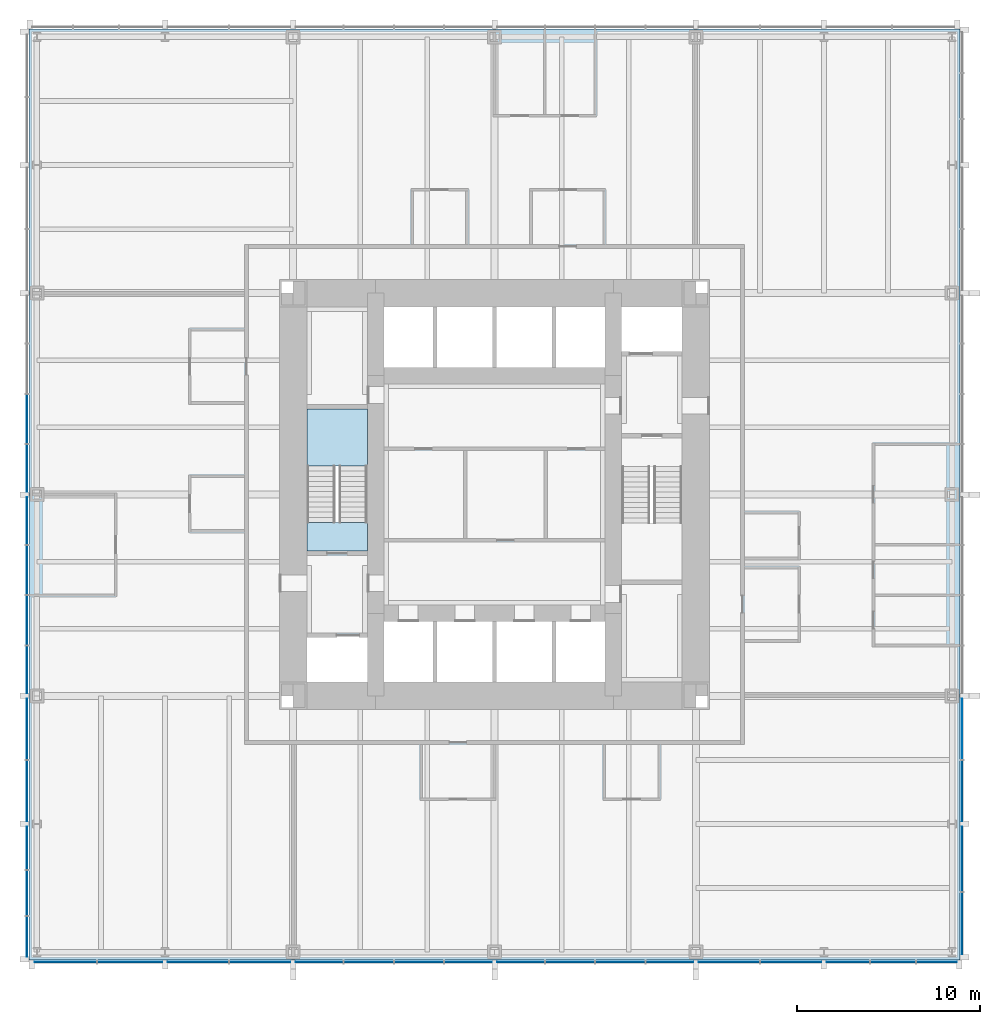
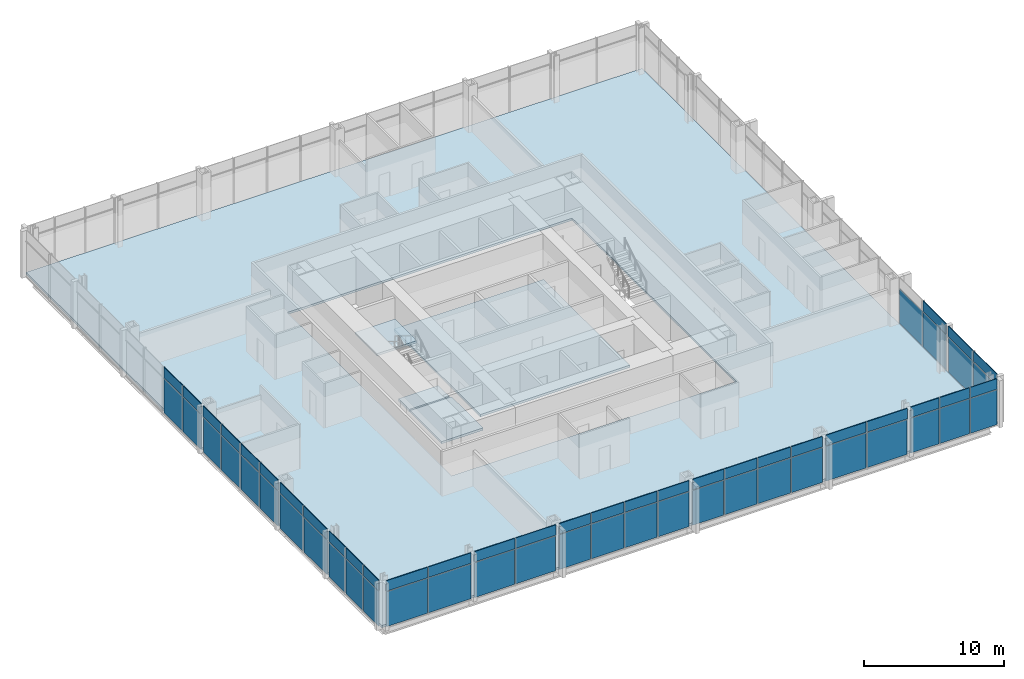
# One storey, part 7 of 12: 63 plates, 5 slabs, 4 elements without a shape of their own.
"""IFC4 building model written with IfcOpenShell, lengths in metres."""

from ifc_helpers import new_model, si_unit, direction, frame, origin, origin_2d, place, context, subcontext, project, spatial, polyline, rectangle, outline, extrude, material, layer, layer_set, type_object, element, aggregate, save


model = new_model("IFC4")

# Units and contexts
model_context = context("Model", 3, precision=1e-05, world=origin(), true_north=direction((0.0, 1.0)))
body_context = subcontext(model_context, "Body", "Model", "MODEL_VIEW")
ifc_project = project(units=[si_unit("LENGTHUNIT", "METRE"), si_unit("AREAUNIT", "SQUARE_METRE"), si_unit("VOLUMEUNIT", "CUBIC_METRE"), si_unit("PLANEANGLEUNIT", "RADIAN"), si_unit("MASSUNIT", "GRAM", prefix="KILO")], contexts=[model_context])

# Site, building, storey
site_placement = place(None, origin())
site = spatial("IfcSite", under=ifc_project, at=site_placement, CompositionType="ELEMENT")
building_placement = place(site_placement, origin())
building = spatial("IfcBuilding", under=site, at=building_placement, Name="Trevanion Tower", CompositionType="ELEMENT")
storey_placement = place(building_placement, frame((0.0, 0.0, 28.300048828125)))
storey = spatial("IfcBuildingStorey", under=building, at=storey_placement, Name="L06", CompositionType="ELEMENT", Elevation=28.300048828125)

# Curtain wall, plates
ifc_material_1 = material(Name="Aluminium and glass", Category="aluminium")
curtain_wall_type = type_object("IfcCurtainWallType", Name="CW1 curtain wall", PredefinedType="USERDEFINED", material=ifc_material_1)
curtain_wall_1_placement = place(storey_placement, origin())
curtain_wall_1 = element("IfcCurtainWall", 1, at=curtain_wall_1_placement, inside=storey, type_object=curtain_wall_type, Name="CW1 L06 0", ObjectType="UNITISED CURTAIN WALL", PredefinedType="USERDEFINED")
ifc_material_2 = material(Name="Aluminium spandrel panel", Category="aluminium")
ifc_layer_1 = layer(ifc_material_2, 0.06005859375)
ifc_layer_set_1 = layer_set([ifc_layer_1], Name="CW1 spandrel panel")
plate_type_1 = type_object("IfcPlateType", Name="CW1 spandrel panel", PredefinedType="CURTAIN_PANEL", material=ifc_layer_set_1)
plate_1_placement = place(storey_placement, frame((25.550048828125, -23.433837890625, 2.99755859375), z_axis=(0.0, 0.0, 1.0), x_axis=(0.0, 1.0, 0.0)))
plate_1 = element("IfcPlate", 2, at=plate_1_placement, type_object=plate_type_1, Name="CW1 panel 1.2", PredefinedType="CURTAIN_PANEL", context=body_context, shape_type="SweptSolid", body=[
    extrude(rectangle(XDim=3.37255859375, YDim=0.06005859375, at=origin_2d()), origin(), (0.0, 0.0, 1.0), 0.91259765625),
])
plate_2_placement = place(storey_placement, frame((25.550048828125, -19.911376953125, 2.99755859375), z_axis=(0.0, 0.0, 1.0), x_axis=(0.0, 1.0, 0.0)))
plate_2 = element("IfcPlate", 3, at=plate_2_placement, type_object=plate_type_1, Name="CW1 panel 2.2", PredefinedType="CURTAIN_PANEL", context=body_context, shape_type="SweptSolid", body=[
    extrude(rectangle(XDim=3.5224609375, YDim=0.06005859375, at=origin_2d()), origin(), (0.0, 0.0, 1.0), 0.91259765625),
])
plate_3_placement = place(storey_placement, frame((25.550048828125, -16.19384765625, 2.99755859375), z_axis=(0.0, 0.0, 1.0), x_axis=(0.0, 1.0, 0.0)))
plate_3 = element("IfcPlate", 4, at=plate_3_placement, type_object=plate_type_1, Name="CW1 panel 3.2", PredefinedType="CURTAIN_PANEL", context=body_context, shape_type="SweptSolid", body=[
    extrude(rectangle(XDim=3.3125, YDim=0.06005859375, at=origin_2d()), origin(), (0.0, 0.0, 1.0), 0.91259765625),
])

curtain_wall_2_placement = place(storey_placement, origin())
curtain_wall_2 = element("IfcCurtainWall", 5, at=curtain_wall_2_placement, inside=storey, type_object=curtain_wall_type, Name="CW1 L06 2", ObjectType="UNITISED CURTAIN WALL", PredefinedType="USERDEFINED")
plate_4_placement = place(storey_placement, frame((-25.550048828125, 4.125, 2.99755859375), z_axis=(0.0, 0.0, 1.0), x_axis=(0.0, -1.0, 0.0)))
plate_4 = element("IfcPlate", 6, at=plate_4_placement, type_object=plate_type_1, Name="CW1 panel 7.2", PredefinedType="CURTAIN_PANEL", context=body_context, shape_type="SweptSolid", body=[
    extrude(rectangle(XDim=2.675048828125, YDim=0.06005859375, at=origin_2d()), origin(), (0.0, 0.0, 1.0), 0.91259765625),
])
plate_5_placement = place(storey_placement, frame((-25.550048828125, 1.43115234375, 2.99755859375), z_axis=(0.0, 0.0, 1.0), x_axis=(0.0, -1.0, 0.0)))
plate_5 = element("IfcPlate", 7, at=plate_5_placement, type_object=plate_type_1, Name="CW1 panel 8.2", PredefinedType="CURTAIN_PANEL", context=body_context, shape_type="SweptSolid", body=[
    extrude(rectangle(XDim=2.5625, YDim=0.06005859375, at=origin_2d()), origin(), (0.0, 0.0, 1.0), 0.91259765625),
])
plate_6_placement = place(storey_placement, frame((-25.550048828125, -1.43115234375, 2.99755859375), z_axis=(0.0, 0.0, 1.0), x_axis=(0.0, -1.0, 0.0)))
plate_6 = element("IfcPlate", 8, at=plate_6_placement, type_object=plate_type_1, Name="CW1 panel 9.2", PredefinedType="CURTAIN_PANEL", context=body_context, shape_type="SweptSolid", body=[
    extrude(rectangle(XDim=2.5625, YDim=0.06005859375, at=origin_2d()), origin(), (0.0, 0.0, 1.0), 0.91259765625),
])
plate_7_placement = place(storey_placement, frame((-25.550048828125, -4.125, 2.99755859375), z_axis=(0.0, 0.0, 1.0), x_axis=(0.0, -1.0, 0.0)))
plate_7 = element("IfcPlate", 9, at=plate_7_placement, type_object=plate_type_1, Name="CW1 panel 10.2", PredefinedType="CURTAIN_PANEL", context=body_context, shape_type="SweptSolid", body=[
    extrude(rectangle(XDim=2.675048828125, YDim=0.06005859375, at=origin_2d()), origin(), (0.0, 0.0, 1.0), 0.91259765625),
])
plate_8_placement = place(storey_placement, frame((-25.550048828125, -6.875, 2.99755859375), z_axis=(0.0, 0.0, 1.0), x_axis=(0.0, -1.0, 0.0)))
plate_8 = element("IfcPlate", 10, at=plate_8_placement, type_object=plate_type_1, Name="CW1 panel 11.2", PredefinedType="CURTAIN_PANEL", context=body_context, shape_type="SweptSolid", body=[
    extrude(rectangle(XDim=2.675048828125, YDim=0.06005859375, at=origin_2d()), origin(), (0.0, 0.0, 1.0), 0.91259765625),
])
plate_9_placement = place(storey_placement, frame((-25.550048828125, -9.56884765625, 2.99755859375), z_axis=(0.0, 0.0, 1.0), x_axis=(0.0, -1.0, 0.0)))
plate_9 = element("IfcPlate", 11, at=plate_9_placement, type_object=plate_type_1, Name="CW1 panel 12.2", PredefinedType="CURTAIN_PANEL", context=body_context, shape_type="SweptSolid", body=[
    extrude(rectangle(XDim=2.5625, YDim=0.06005859375, at=origin_2d()), origin(), (0.0, 0.0, 1.0), 0.91259765625),
])
plate_10_placement = place(storey_placement, frame((-25.550048828125, -12.80615234375, 2.99755859375), z_axis=(0.0, 0.0, 1.0), x_axis=(0.0, -1.0, 0.0)))
plate_10 = element("IfcPlate", 12, at=plate_10_placement, type_object=plate_type_1, Name="CW1 panel 13.2", PredefinedType="CURTAIN_PANEL", context=body_context, shape_type="SweptSolid", body=[
    extrude(rectangle(XDim=3.3125, YDim=0.06005859375, at=origin_2d()), origin(), (0.0, 0.0, 1.0), 0.91259765625),
])
plate_11_placement = place(storey_placement, frame((-25.550048828125, -16.19384765625, 2.99755859375), z_axis=(0.0, 0.0, 1.0), x_axis=(0.0, -1.0, 0.0)))
plate_11 = element("IfcPlate", 13, at=plate_11_placement, type_object=plate_type_1, Name="CW1 panel 14.2", PredefinedType="CURTAIN_PANEL", context=body_context, shape_type="SweptSolid", body=[
    extrude(rectangle(XDim=3.3125, YDim=0.06005859375, at=origin_2d()), origin(), (0.0, 0.0, 1.0), 0.91259765625),
])
plate_12_placement = place(storey_placement, frame((-25.550048828125, -19.314697265625, 2.99755859375), z_axis=(0.0, 0.0, 1.0), x_axis=(0.0, -1.0, 0.0)))
plate_12 = element("IfcPlate", 14, at=plate_12_placement, type_object=plate_type_1, Name="CW1 panel 15.2", PredefinedType="CURTAIN_PANEL", context=body_context, shape_type="SweptSolid", body=[
    extrude(rectangle(XDim=2.3291015625, YDim=0.06005859375, at=origin_2d()), origin(), (0.0, 0.0, 1.0), 0.91259765625),
])
plate_13_placement = place(storey_placement, frame((-25.550048828125, -21.77490234375, 2.99755859375), z_axis=(0.0, 0.0, 1.0), x_axis=(0.0, -1.0, 0.0)))
plate_13 = element("IfcPlate", 15, at=plate_13_placement, type_object=plate_type_1, Name="CW1 panel 16.2", PredefinedType="CURTAIN_PANEL", context=body_context, shape_type="SweptSolid", body=[
    extrude(rectangle(XDim=2.441650390625, YDim=0.06005859375, at=origin_2d()), origin(), (0.0, 0.0, 1.0), 0.91259765625),
])
plate_14_placement = place(storey_placement, frame((-25.550048828125, -24.160400390625, 2.99755859375), z_axis=(0.0, 0.0, 1.0), x_axis=(0.0, -1.0, 0.0)))
plate_14 = element("IfcPlate", 16, at=plate_14_placement, type_object=plate_type_1, Name="CW1 panel 17.2", PredefinedType="CURTAIN_PANEL", context=body_context, shape_type="SweptSolid", body=[
    extrude(rectangle(XDim=2.17919921875, YDim=0.06005859375, at=origin_2d()), origin(), (0.0, 0.0, 1.0), 0.91259765625),
])

curtain_wall_3_placement = place(storey_placement, origin())
curtain_wall_3 = element("IfcCurtainWall", 17, at=curtain_wall_3_placement, inside=storey, type_object=curtain_wall_type, Name="CW1 L06 3", ObjectType="UNITISED CURTAIN WALL", PredefinedType="USERDEFINED")
plate_15_placement = place(storey_placement, frame((-23.433837890625, -25.550048828125, 2.99755859375), z_axis=(0.0, 0.0, 1.0), x_axis=(1.0, 0.0, 0.0)))
plate_15 = element("IfcPlate", 18, at=plate_15_placement, type_object=plate_type_1, Name="CW1 panel 1.2", PredefinedType="CURTAIN_PANEL", context=body_context, shape_type="SweptSolid", body=[
    extrude(rectangle(XDim=3.37255859375, YDim=0.06005859375, at=origin_2d()), origin(), (0.0, 0.0, 1.0), 0.91259765625),
])
plate_16_placement = place(storey_placement, frame((-19.911376953125, -25.550048828125, 2.99755859375), z_axis=(0.0, 0.0, 1.0), x_axis=(1.0, 0.0, 0.0)))
plate_16 = element("IfcPlate", 19, at=plate_16_placement, type_object=plate_type_1, Name="CW1 panel 2.2", PredefinedType="CURTAIN_PANEL", context=body_context, shape_type="SweptSolid", body=[
    extrude(rectangle(XDim=3.5224609375, YDim=0.06005859375, at=origin_2d()), origin(), (0.0, 0.0, 1.0), 0.91259765625),
])
plate_17_placement = place(storey_placement, frame((-16.19384765625, -25.550048828125, 2.99755859375), z_axis=(0.0, 0.0, 1.0), x_axis=(1.0, 0.0, 0.0)))
plate_17 = element("IfcPlate", 20, at=plate_17_placement, type_object=plate_type_1, Name="CW1 panel 3.2", PredefinedType="CURTAIN_PANEL", context=body_context, shape_type="SweptSolid", body=[
    extrude(rectangle(XDim=3.3125, YDim=0.06005859375, at=origin_2d()), origin(), (0.0, 0.0, 1.0), 0.91259765625),
])
plate_18_placement = place(storey_placement, frame((-12.806396484375, -25.550048828125, 2.99755859375), z_axis=(0.0, 0.0, 1.0), x_axis=(1.0, 0.0, 0.0)))
plate_18 = element("IfcPlate", 21, at=plate_18_placement, type_object=plate_type_1, Name="CW1 panel 4.2", PredefinedType="CURTAIN_PANEL", context=body_context, shape_type="SweptSolid", body=[
    extrude(rectangle(XDim=3.3125, YDim=0.06005859375, at=origin_2d()), origin(), (0.0, 0.0, 1.0), 0.91259765625),
])
plate_19_placement = place(storey_placement, frame((-9.56884765625, -25.550048828125, 2.99755859375), z_axis=(0.0, 0.0, 1.0), x_axis=(1.0, 0.0, 0.0)))
plate_19 = element("IfcPlate", 22, at=plate_19_placement, type_object=plate_type_1, Name="CW1 panel 5.2", PredefinedType="CURTAIN_PANEL", context=body_context, shape_type="SweptSolid", body=[
    extrude(rectangle(XDim=2.5625, YDim=0.06005859375, at=origin_2d()), origin(), (0.0, 0.0, 1.0), 0.91259765625),
])
plate_20_placement = place(storey_placement, frame((-6.875, -25.550048828125, 2.99755859375), z_axis=(0.0, 0.0, 1.0), x_axis=(1.0, 0.0, 0.0)))
plate_20 = element("IfcPlate", 23, at=plate_20_placement, type_object=plate_type_1, Name="CW1 panel 6.2", PredefinedType="CURTAIN_PANEL", context=body_context, shape_type="SweptSolid", body=[
    extrude(rectangle(XDim=2.675048828125, YDim=0.06005859375, at=origin_2d()), origin(), (0.0, 0.0, 1.0), 0.91259765625),
])
plate_21_placement = place(storey_placement, frame((-4.125, -25.550048828125, 2.99755859375), z_axis=(0.0, 0.0, 1.0), x_axis=(1.0, 0.0, 0.0)))
plate_21 = element("IfcPlate", 24, at=plate_21_placement, type_object=plate_type_1, Name="CW1 panel 7.2", PredefinedType="CURTAIN_PANEL", context=body_context, shape_type="SweptSolid", body=[
    extrude(rectangle(XDim=2.675048828125, YDim=0.06005859375, at=origin_2d()), origin(), (0.0, 0.0, 1.0), 0.91259765625),
])
plate_22_placement = place(storey_placement, frame((-1.43115234375, -25.550048828125, 2.99755859375), z_axis=(0.0, 0.0, 1.0), x_axis=(1.0, 0.0, 0.0)))
plate_22 = element("IfcPlate", 25, at=plate_22_placement, type_object=plate_type_1, Name="CW1 panel 8.2", PredefinedType="CURTAIN_PANEL", context=body_context, shape_type="SweptSolid", body=[
    extrude(rectangle(XDim=2.5625, YDim=0.06005859375, at=origin_2d()), origin(), (0.0, 0.0, 1.0), 0.91259765625),
])
plate_23_placement = place(storey_placement, frame((1.43115234375, -25.550048828125, 2.99755859375), z_axis=(0.0, 0.0, 1.0), x_axis=(1.0, 0.0, 0.0)))
plate_23 = element("IfcPlate", 26, at=plate_23_placement, type_object=plate_type_1, Name="CW1 panel 9.2", PredefinedType="CURTAIN_PANEL", context=body_context, shape_type="SweptSolid", body=[
    extrude(rectangle(XDim=2.5625, YDim=0.06005859375, at=origin_2d()), origin(), (0.0, 0.0, 1.0), 0.91259765625),
])
plate_24_placement = place(storey_placement, frame((4.125, -25.550048828125, 2.99755859375), z_axis=(0.0, 0.0, 1.0), x_axis=(1.0, 0.0, 0.0)))
plate_24 = element("IfcPlate", 27, at=plate_24_placement, type_object=plate_type_1, Name="CW1 panel 10.2", PredefinedType="CURTAIN_PANEL", context=body_context, shape_type="SweptSolid", body=[
    extrude(rectangle(XDim=2.675048828125, YDim=0.06005859375, at=origin_2d()), origin(), (0.0, 0.0, 1.0), 0.91259765625),
])
plate_25_placement = place(storey_placement, frame((6.875, -25.550048828125, 2.99755859375), z_axis=(0.0, 0.0, 1.0), x_axis=(1.0, 0.0, 0.0)))
plate_25 = element("IfcPlate", 28, at=plate_25_placement, type_object=plate_type_1, Name="CW1 panel 11.2", PredefinedType="CURTAIN_PANEL", context=body_context, shape_type="SweptSolid", body=[
    extrude(rectangle(XDim=2.675048828125, YDim=0.06005859375, at=origin_2d()), origin(), (0.0, 0.0, 1.0), 0.91259765625),
])
plate_26_placement = place(storey_placement, frame((9.56884765625, -25.550048828125, 2.99755859375), z_axis=(0.0, 0.0, 1.0), x_axis=(1.0, 0.0, 0.0)))
plate_26 = element("IfcPlate", 29, at=plate_26_placement, type_object=plate_type_1, Name="CW1 panel 12.2", PredefinedType="CURTAIN_PANEL", context=body_context, shape_type="SweptSolid", body=[
    extrude(rectangle(XDim=2.5625, YDim=0.06005859375, at=origin_2d()), origin(), (0.0, 0.0, 1.0), 0.91259765625),
])
plate_27_placement = place(storey_placement, frame((12.80615234375, -25.550048828125, 2.99755859375), z_axis=(0.0, 0.0, 1.0), x_axis=(1.0, 0.0, 0.0)))
plate_27 = element("IfcPlate", 30, at=plate_27_placement, type_object=plate_type_1, Name="CW1 panel 13.2", PredefinedType="CURTAIN_PANEL", context=body_context, shape_type="SweptSolid", body=[
    extrude(rectangle(XDim=3.3125, YDim=0.06005859375, at=origin_2d()), origin(), (0.0, 0.0, 1.0), 0.91259765625),
])
plate_28_placement = place(storey_placement, frame((16.19384765625, -25.550048828125, 2.99755859375), z_axis=(0.0, 0.0, 1.0), x_axis=(1.0, 0.0, 0.0)))
plate_28 = element("IfcPlate", 31, at=plate_28_placement, type_object=plate_type_1, Name="CW1 panel 14.2", PredefinedType="CURTAIN_PANEL", context=body_context, shape_type="SweptSolid", body=[
    extrude(rectangle(XDim=3.3125, YDim=0.06005859375, at=origin_2d()), origin(), (0.0, 0.0, 1.0), 0.91259765625),
])
plate_29_placement = place(storey_placement, frame((19.314697265625, -25.550048828125, 2.99755859375), z_axis=(0.0, 0.0, 1.0), x_axis=(1.0, 0.0, 0.0)))
plate_29 = element("IfcPlate", 32, at=plate_29_placement, type_object=plate_type_1, Name="CW1 panel 15.2", PredefinedType="CURTAIN_PANEL", context=body_context, shape_type="SweptSolid", body=[
    extrude(rectangle(XDim=2.3291015625, YDim=0.06005859375, at=origin_2d()), origin(), (0.0, 0.0, 1.0), 0.91259765625),
])
plate_30_placement = place(storey_placement, frame((21.77490234375, -25.550048828125, 2.99755859375), z_axis=(0.0, 0.0, 1.0), x_axis=(1.0, 0.0, 0.0)))
plate_30 = element("IfcPlate", 33, at=plate_30_placement, type_object=plate_type_1, Name="CW1 panel 16.2", PredefinedType="CURTAIN_PANEL", context=body_context, shape_type="SweptSolid", body=[
    extrude(rectangle(XDim=2.441650390625, YDim=0.06005859375, at=origin_2d()), origin(), (0.0, 0.0, 1.0), 0.91259765625),
])
plate_31_placement = place(storey_placement, frame((24.160400390625, -25.550048828125, 2.99755859375), z_axis=(0.0, 0.0, 1.0), x_axis=(1.0, 0.0, 0.0)))
plate_31 = element("IfcPlate", 34, at=plate_31_placement, type_object=plate_type_1, Name="CW1 panel 17.2", PredefinedType="CURTAIN_PANEL", context=body_context, shape_type="SweptSolid", body=[
    extrude(rectangle(XDim=2.17919921875, YDim=0.06005859375, at=origin_2d()), origin(), (0.0, 0.0, 1.0), 0.91259765625),
])

# Plate
ifc_material_3 = material(Name="Insulating glass unit", Category="glass")
ifc_layer_2 = layer(ifc_material_3, 0.028076171875)
ifc_layer_set_2 = layer_set([ifc_layer_2], Name="CW1 vision panel")
plate_type_2 = type_object("IfcPlateType", Name="CW1 vision panel", PredefinedType="CURTAIN_PANEL", material=ifc_layer_set_2)
plate_32_placement = place(storey_placement, frame((25.550048828125, -23.433837890625, -0.115234375), z_axis=(0.0, 0.0, 1.0), x_axis=(0.0, 1.0, 0.0)))
plate_32 = element("IfcPlate", 35, at=plate_32_placement, type_object=plate_type_2, Name="CW1 panel 1.1", PredefinedType="CURTAIN_PANEL", context=body_context, shape_type="SweptSolid", body=[
    extrude(rectangle(XDim=3.37255859375, YDim=0.028076171875, at=origin_2d()), origin(), (0.0, 0.0, 1.0), 3.03759765625),
])

plate_33_placement = place(storey_placement, frame((25.550048828125, -19.911376953125, -0.115234375), z_axis=(0.0, 0.0, 1.0), x_axis=(0.0, 1.0, 0.0)))
plate_33 = element("IfcPlate", 36, at=plate_33_placement, type_object=plate_type_2, Name="CW1 panel 2.1", PredefinedType="CURTAIN_PANEL", context=body_context, shape_type="SweptSolid", body=[
    extrude(rectangle(XDim=3.5224609375, YDim=0.028076171875, at=origin_2d()), origin(), (0.0, 0.0, 1.0), 3.03759765625),
])

plate_34_placement = place(storey_placement, frame((25.550048828125, -16.19384765625, -0.115234375), z_axis=(0.0, 0.0, 1.0), x_axis=(0.0, 1.0, 0.0)))
plate_34 = element("IfcPlate", 37, at=plate_34_placement, type_object=plate_type_2, Name="CW1 panel 3.1", PredefinedType="CURTAIN_PANEL", context=body_context, shape_type="SweptSolid", body=[
    extrude(rectangle(XDim=3.3125, YDim=0.028076171875, at=origin_2d()), origin(), (0.0, 0.0, 1.0), 3.03759765625),
])

plate_35_placement = place(storey_placement, frame((25.550048828125, -12.806396484375, -0.115234375), z_axis=(0.0, 0.0, 1.0), x_axis=(0.0, 1.0, 0.0)))
plate_35 = element("IfcPlate", 38, at=plate_35_placement, type_object=plate_type_2, Name="CW1 panel 4.1", PredefinedType="CURTAIN_PANEL", context=body_context, shape_type="SweptSolid", body=[
    extrude(rectangle(XDim=3.3125, YDim=0.028076171875, at=origin_2d()), origin(), (0.0, 0.0, 1.0), 3.03759765625),
])

aggregate(curtain_wall_1, [plate_32, plate_1, plate_33, plate_2, plate_34, plate_3, plate_35])

plate_36_placement = place(storey_placement, frame((-25.550048828125, 4.125, -0.115234375), z_axis=(0.0, 0.0, 1.0), x_axis=(0.0, -1.0, 0.0)))
plate_36 = element("IfcPlate", 39, at=plate_36_placement, type_object=plate_type_2, Name="CW1 panel 7.1", PredefinedType="CURTAIN_PANEL", context=body_context, shape_type="SweptSolid", body=[
    extrude(rectangle(XDim=2.675048828125, YDim=0.028076171875, at=origin_2d()), origin(), (0.0, 0.0, 1.0), 3.03759765625),
])

plate_37_placement = place(storey_placement, frame((-25.550048828125, 1.43115234375, -0.115234375), z_axis=(0.0, 0.0, 1.0), x_axis=(0.0, -1.0, 0.0)))
plate_37 = element("IfcPlate", 40, at=plate_37_placement, type_object=plate_type_2, Name="CW1 panel 8.1", PredefinedType="CURTAIN_PANEL", context=body_context, shape_type="SweptSolid", body=[
    extrude(rectangle(XDim=2.5625, YDim=0.028076171875, at=origin_2d()), origin(), (0.0, 0.0, 1.0), 3.03759765625),
])

plate_38_placement = place(storey_placement, frame((-25.550048828125, -1.43115234375, -0.115234375), z_axis=(0.0, 0.0, 1.0), x_axis=(0.0, -1.0, 0.0)))
plate_38 = element("IfcPlate", 41, at=plate_38_placement, type_object=plate_type_2, Name="CW1 panel 9.1", PredefinedType="CURTAIN_PANEL", context=body_context, shape_type="SweptSolid", body=[
    extrude(rectangle(XDim=2.5625, YDim=0.028076171875, at=origin_2d()), origin(), (0.0, 0.0, 1.0), 3.03759765625),
])

plate_39_placement = place(storey_placement, frame((-25.550048828125, -4.125, -0.115234375), z_axis=(0.0, 0.0, 1.0), x_axis=(0.0, -1.0, 0.0)))
plate_39 = element("IfcPlate", 42, at=plate_39_placement, type_object=plate_type_2, Name="CW1 panel 10.1", PredefinedType="CURTAIN_PANEL", context=body_context, shape_type="SweptSolid", body=[
    extrude(rectangle(XDim=2.675048828125, YDim=0.028076171875, at=origin_2d()), origin(), (0.0, 0.0, 1.0), 3.03759765625),
])

plate_40_placement = place(storey_placement, frame((-25.550048828125, -6.875, -0.115234375), z_axis=(0.0, 0.0, 1.0), x_axis=(0.0, -1.0, 0.0)))
plate_40 = element("IfcPlate", 43, at=plate_40_placement, type_object=plate_type_2, Name="CW1 panel 11.1", PredefinedType="CURTAIN_PANEL", context=body_context, shape_type="SweptSolid", body=[
    extrude(rectangle(XDim=2.675048828125, YDim=0.028076171875, at=origin_2d()), origin(), (0.0, 0.0, 1.0), 3.03759765625),
])

plate_41_placement = place(storey_placement, frame((-25.550048828125, -9.56884765625, -0.115234375), z_axis=(0.0, 0.0, 1.0), x_axis=(0.0, -1.0, 0.0)))
plate_41 = element("IfcPlate", 44, at=plate_41_placement, type_object=plate_type_2, Name="CW1 panel 12.1", PredefinedType="CURTAIN_PANEL", context=body_context, shape_type="SweptSolid", body=[
    extrude(rectangle(XDim=2.5625, YDim=0.028076171875, at=origin_2d()), origin(), (0.0, 0.0, 1.0), 3.03759765625),
])

plate_42_placement = place(storey_placement, frame((-25.550048828125, -12.80615234375, -0.115234375), z_axis=(0.0, 0.0, 1.0), x_axis=(0.0, -1.0, 0.0)))
plate_42 = element("IfcPlate", 45, at=plate_42_placement, type_object=plate_type_2, Name="CW1 panel 13.1", PredefinedType="CURTAIN_PANEL", context=body_context, shape_type="SweptSolid", body=[
    extrude(rectangle(XDim=3.3125, YDim=0.028076171875, at=origin_2d()), origin(), (0.0, 0.0, 1.0), 3.03759765625),
])

plate_43_placement = place(storey_placement, frame((-25.550048828125, -16.19384765625, -0.115234375), z_axis=(0.0, 0.0, 1.0), x_axis=(0.0, -1.0, 0.0)))
plate_43 = element("IfcPlate", 46, at=plate_43_placement, type_object=plate_type_2, Name="CW1 panel 14.1", PredefinedType="CURTAIN_PANEL", context=body_context, shape_type="SweptSolid", body=[
    extrude(rectangle(XDim=3.3125, YDim=0.028076171875, at=origin_2d()), origin(), (0.0, 0.0, 1.0), 3.03759765625),
])

plate_44_placement = place(storey_placement, frame((-25.550048828125, -19.314697265625, -0.115234375), z_axis=(0.0, 0.0, 1.0), x_axis=(0.0, -1.0, 0.0)))
plate_44 = element("IfcPlate", 47, at=plate_44_placement, type_object=plate_type_2, Name="CW1 panel 15.1", PredefinedType="CURTAIN_PANEL", context=body_context, shape_type="SweptSolid", body=[
    extrude(rectangle(XDim=2.3291015625, YDim=0.028076171875, at=origin_2d()), origin(), (0.0, 0.0, 1.0), 3.03759765625),
])

plate_45_placement = place(storey_placement, frame((-25.550048828125, -21.77490234375, -0.115234375), z_axis=(0.0, 0.0, 1.0), x_axis=(0.0, -1.0, 0.0)))
plate_45 = element("IfcPlate", 48, at=plate_45_placement, type_object=plate_type_2, Name="CW1 panel 16.1", PredefinedType="CURTAIN_PANEL", context=body_context, shape_type="SweptSolid", body=[
    extrude(rectangle(XDim=2.441650390625, YDim=0.028076171875, at=origin_2d()), origin(), (0.0, 0.0, 1.0), 3.03759765625),
])

plate_46_placement = place(storey_placement, frame((-25.550048828125, -24.160400390625, -0.115234375), z_axis=(0.0, 0.0, 1.0), x_axis=(0.0, -1.0, 0.0)))
plate_46 = element("IfcPlate", 49, at=plate_46_placement, type_object=plate_type_2, Name="CW1 panel 17.1", PredefinedType="CURTAIN_PANEL", context=body_context, shape_type="SweptSolid", body=[
    extrude(rectangle(XDim=2.17919921875, YDim=0.028076171875, at=origin_2d()), origin(), (0.0, 0.0, 1.0), 3.03759765625),
])

aggregate(curtain_wall_2, [plate_36, plate_4, plate_37, plate_5, plate_38, plate_6, plate_39, plate_7, plate_40, plate_8, plate_41, plate_9, plate_42, plate_10, plate_43, plate_11, plate_44, plate_12, plate_45, plate_13, plate_46, plate_14])

plate_47_placement = place(storey_placement, frame((-23.433837890625, -25.550048828125, -0.115234375), z_axis=(0.0, 0.0, 1.0), x_axis=(1.0, 0.0, 0.0)))
plate_47 = element("IfcPlate", 50, at=plate_47_placement, type_object=plate_type_2, Name="CW1 panel 1.1", PredefinedType="CURTAIN_PANEL", context=body_context, shape_type="SweptSolid", body=[
    extrude(rectangle(XDim=3.37255859375, YDim=0.028076171875, at=origin_2d()), origin(), (0.0, 0.0, 1.0), 3.03759765625),
])

plate_48_placement = place(storey_placement, frame((-19.911376953125, -25.550048828125, -0.115234375), z_axis=(0.0, 0.0, 1.0), x_axis=(1.0, 0.0, 0.0)))
plate_48 = element("IfcPlate", 51, at=plate_48_placement, type_object=plate_type_2, Name="CW1 panel 2.1", PredefinedType="CURTAIN_PANEL", context=body_context, shape_type="SweptSolid", body=[
    extrude(rectangle(XDim=3.5224609375, YDim=0.028076171875, at=origin_2d()), origin(), (0.0, 0.0, 1.0), 3.03759765625),
])

plate_49_placement = place(storey_placement, frame((-16.19384765625, -25.550048828125, -0.115234375), z_axis=(0.0, 0.0, 1.0), x_axis=(1.0, 0.0, 0.0)))
plate_49 = element("IfcPlate", 52, at=plate_49_placement, type_object=plate_type_2, Name="CW1 panel 3.1", PredefinedType="CURTAIN_PANEL", context=body_context, shape_type="SweptSolid", body=[
    extrude(rectangle(XDim=3.3125, YDim=0.028076171875, at=origin_2d()), origin(), (0.0, 0.0, 1.0), 3.03759765625),
])

plate_50_placement = place(storey_placement, frame((-12.806396484375, -25.550048828125, -0.115234375), z_axis=(0.0, 0.0, 1.0), x_axis=(1.0, 0.0, 0.0)))
plate_50 = element("IfcPlate", 53, at=plate_50_placement, type_object=plate_type_2, Name="CW1 panel 4.1", PredefinedType="CURTAIN_PANEL", context=body_context, shape_type="SweptSolid", body=[
    extrude(rectangle(XDim=3.3125, YDim=0.028076171875, at=origin_2d()), origin(), (0.0, 0.0, 1.0), 3.03759765625),
])

plate_51_placement = place(storey_placement, frame((-9.56884765625, -25.550048828125, -0.115234375), z_axis=(0.0, 0.0, 1.0), x_axis=(1.0, 0.0, 0.0)))
plate_51 = element("IfcPlate", 54, at=plate_51_placement, type_object=plate_type_2, Name="CW1 panel 5.1", PredefinedType="CURTAIN_PANEL", context=body_context, shape_type="SweptSolid", body=[
    extrude(rectangle(XDim=2.5625, YDim=0.028076171875, at=origin_2d()), origin(), (0.0, 0.0, 1.0), 3.03759765625),
])

plate_52_placement = place(storey_placement, frame((-6.875, -25.550048828125, -0.115234375), z_axis=(0.0, 0.0, 1.0), x_axis=(1.0, 0.0, 0.0)))
plate_52 = element("IfcPlate", 55, at=plate_52_placement, type_object=plate_type_2, Name="CW1 panel 6.1", PredefinedType="CURTAIN_PANEL", context=body_context, shape_type="SweptSolid", body=[
    extrude(rectangle(XDim=2.675048828125, YDim=0.028076171875, at=origin_2d()), origin(), (0.0, 0.0, 1.0), 3.03759765625),
])

plate_53_placement = place(storey_placement, frame((-4.125, -25.550048828125, -0.115234375), z_axis=(0.0, 0.0, 1.0), x_axis=(1.0, 0.0, 0.0)))
plate_53 = element("IfcPlate", 56, at=plate_53_placement, type_object=plate_type_2, Name="CW1 panel 7.1", PredefinedType="CURTAIN_PANEL", context=body_context, shape_type="SweptSolid", body=[
    extrude(rectangle(XDim=2.675048828125, YDim=0.028076171875, at=origin_2d()), origin(), (0.0, 0.0, 1.0), 3.03759765625),
])

plate_54_placement = place(storey_placement, frame((-1.43115234375, -25.550048828125, -0.115234375), z_axis=(0.0, 0.0, 1.0), x_axis=(1.0, 0.0, 0.0)))
plate_54 = element("IfcPlate", 57, at=plate_54_placement, type_object=plate_type_2, Name="CW1 panel 8.1", PredefinedType="CURTAIN_PANEL", context=body_context, shape_type="SweptSolid", body=[
    extrude(rectangle(XDim=2.5625, YDim=0.028076171875, at=origin_2d()), origin(), (0.0, 0.0, 1.0), 3.03759765625),
])

plate_55_placement = place(storey_placement, frame((1.43115234375, -25.550048828125, -0.115234375), z_axis=(0.0, 0.0, 1.0), x_axis=(1.0, 0.0, 0.0)))
plate_55 = element("IfcPlate", 58, at=plate_55_placement, type_object=plate_type_2, Name="CW1 panel 9.1", PredefinedType="CURTAIN_PANEL", context=body_context, shape_type="SweptSolid", body=[
    extrude(rectangle(XDim=2.5625, YDim=0.028076171875, at=origin_2d()), origin(), (0.0, 0.0, 1.0), 3.03759765625),
])

plate_56_placement = place(storey_placement, frame((4.125, -25.550048828125, -0.115234375), z_axis=(0.0, 0.0, 1.0), x_axis=(1.0, 0.0, 0.0)))
plate_56 = element("IfcPlate", 59, at=plate_56_placement, type_object=plate_type_2, Name="CW1 panel 10.1", PredefinedType="CURTAIN_PANEL", context=body_context, shape_type="SweptSolid", body=[
    extrude(rectangle(XDim=2.675048828125, YDim=0.028076171875, at=origin_2d()), origin(), (0.0, 0.0, 1.0), 3.03759765625),
])

plate_57_placement = place(storey_placement, frame((6.875, -25.550048828125, -0.115234375), z_axis=(0.0, 0.0, 1.0), x_axis=(1.0, 0.0, 0.0)))
plate_57 = element("IfcPlate", 60, at=plate_57_placement, type_object=plate_type_2, Name="CW1 panel 11.1", PredefinedType="CURTAIN_PANEL", context=body_context, shape_type="SweptSolid", body=[
    extrude(rectangle(XDim=2.675048828125, YDim=0.028076171875, at=origin_2d()), origin(), (0.0, 0.0, 1.0), 3.03759765625),
])

plate_58_placement = place(storey_placement, frame((9.56884765625, -25.550048828125, -0.115234375), z_axis=(0.0, 0.0, 1.0), x_axis=(1.0, 0.0, 0.0)))
plate_58 = element("IfcPlate", 61, at=plate_58_placement, type_object=plate_type_2, Name="CW1 panel 12.1", PredefinedType="CURTAIN_PANEL", context=body_context, shape_type="SweptSolid", body=[
    extrude(rectangle(XDim=2.5625, YDim=0.028076171875, at=origin_2d()), origin(), (0.0, 0.0, 1.0), 3.03759765625),
])

plate_59_placement = place(storey_placement, frame((12.80615234375, -25.550048828125, -0.115234375), z_axis=(0.0, 0.0, 1.0), x_axis=(1.0, 0.0, 0.0)))
plate_59 = element("IfcPlate", 62, at=plate_59_placement, type_object=plate_type_2, Name="CW1 panel 13.1", PredefinedType="CURTAIN_PANEL", context=body_context, shape_type="SweptSolid", body=[
    extrude(rectangle(XDim=3.3125, YDim=0.028076171875, at=origin_2d()), origin(), (0.0, 0.0, 1.0), 3.03759765625),
])

plate_60_placement = place(storey_placement, frame((16.19384765625, -25.550048828125, -0.115234375), z_axis=(0.0, 0.0, 1.0), x_axis=(1.0, 0.0, 0.0)))
plate_60 = element("IfcPlate", 63, at=plate_60_placement, type_object=plate_type_2, Name="CW1 panel 14.1", PredefinedType="CURTAIN_PANEL", context=body_context, shape_type="SweptSolid", body=[
    extrude(rectangle(XDim=3.3125, YDim=0.028076171875, at=origin_2d()), origin(), (0.0, 0.0, 1.0), 3.03759765625),
])

plate_61_placement = place(storey_placement, frame((19.314697265625, -25.550048828125, -0.115234375), z_axis=(0.0, 0.0, 1.0), x_axis=(1.0, 0.0, 0.0)))
plate_61 = element("IfcPlate", 64, at=plate_61_placement, type_object=plate_type_2, Name="CW1 panel 15.1", PredefinedType="CURTAIN_PANEL", context=body_context, shape_type="SweptSolid", body=[
    extrude(rectangle(XDim=2.3291015625, YDim=0.028076171875, at=origin_2d()), origin(), (0.0, 0.0, 1.0), 3.03759765625),
])

plate_62_placement = place(storey_placement, frame((21.77490234375, -25.550048828125, -0.115234375), z_axis=(0.0, 0.0, 1.0), x_axis=(1.0, 0.0, 0.0)))
plate_62 = element("IfcPlate", 65, at=plate_62_placement, type_object=plate_type_2, Name="CW1 panel 16.1", PredefinedType="CURTAIN_PANEL", context=body_context, shape_type="SweptSolid", body=[
    extrude(rectangle(XDim=2.441650390625, YDim=0.028076171875, at=origin_2d()), origin(), (0.0, 0.0, 1.0), 3.03759765625),
])

plate_63_placement = place(storey_placement, frame((24.160400390625, -25.550048828125, -0.115234375), z_axis=(0.0, 0.0, 1.0), x_axis=(1.0, 0.0, 0.0)))
plate_63 = element("IfcPlate", 66, at=plate_63_placement, type_object=plate_type_2, Name="CW1 panel 17.1", PredefinedType="CURTAIN_PANEL", context=body_context, shape_type="SweptSolid", body=[
    extrude(rectangle(XDim=2.17919921875, YDim=0.028076171875, at=origin_2d()), origin(), (0.0, 0.0, 1.0), 3.03759765625),
])

aggregate(curtain_wall_3, [plate_47, plate_15, plate_48, plate_16, plate_49, plate_17, plate_50, plate_18, plate_51, plate_19, plate_52, plate_20, plate_53, plate_21, plate_54, plate_22, plate_55, plate_23, plate_56, plate_24, plate_57, plate_25, plate_58, plate_26, plate_59, plate_27, plate_60, plate_28, plate_61, plate_29, plate_62, plate_30, plate_63, plate_31])

# Slabs
ifc_material_4 = material(Name="Concrete 5,000 psi on composite metal deck", Category="concrete")
ifc_layer_3 = layer(ifc_material_4, 0.18994140625)
ifc_layer_set_3 = layer_set([ifc_layer_3], Name="SL1 composite floor 190")
slab_type_1 = type_object("IfcSlabType", Name="SL1 composite floor 190", PredefinedType="FLOOR", material=ifc_layer_set_3)
slab_1_placement = place(storey_placement, frame((0.0, 0.0, -0.18994140625)))
element("IfcSlab", 67, at=slab_1_placement, inside=storey, type_object=slab_type_1, Name="SL1 L06 floor", PredefinedType="FLOOR", context=body_context, shape_type="SweptSolid", body=[
    extrude(outline(polyline([(25.419921875, -25.419921875), (25.419921875, 25.419921875), (-25.419921875, 25.419921875), (-25.419921875, -25.419921875), (25.419921875, -25.419921875)]), holes=[polyline([(11.75, -11.75), (11.75, 11.75), (-11.75, 11.75), (-11.75, -11.75), (11.75, -11.75)])]), origin(), (0.0, 0.0, 1.0), 0.18994140625),
])
ifc_material_5 = material(Name="Concrete 5,000 psi", Category="concrete")
ifc_layer_4 = layer(ifc_material_5, 0.199951171875)
ifc_layer_set_4 = layer_set([ifc_layer_4], Name="SL2 core floor 200")
slab_type_2 = type_object("IfcSlabType", Name="SL2 core floor 200", PredefinedType="FLOOR", material=ifc_layer_set_4)
slab_2_placement = place(storey_placement, frame((0.0, 0.0, -0.199951171875)))
element("IfcSlab", 68, at=slab_2_placement, inside=storey, type_object=slab_type_2, Name="SL2 L06 core floor 2", PredefinedType="FLOOR", context=body_context, shape_type="SweptSolid", body=[
    extrude(outline(polyline([(-6.830078125, -3.205078125), (-6.830078125, -7.695068359375), (-10.25, -7.695068359375), (-10.25, -3.205078125), (-6.830078125, -3.205078125)])), origin(), (0.0, 0.0, 1.0), 0.199951171875),
])
slab_3_placement = place(storey_placement, frame((0.0, 0.0, -0.199951171875)))
element("IfcSlab", 69, at=slab_3_placement, inside=storey, type_object=slab_type_2, Name="SL2 L06 core floor 3", PredefinedType="FLOOR", context=body_context, shape_type="SweptSolid", body=[
    extrude(outline(polyline([(6.169921875, -6.169921875), (-6.169921875, -6.169921875), (-6.169921875, 6.169921875), (6.169921875, 6.169921875), (6.169921875, -6.169921875)])), origin(), (0.0, 0.0, 1.0), 0.199951171875),
])

# Stair, slabs
ifc_material_6 = material(Name="Concrete 5,000 psi on steel stringers", Category="concrete")
stair_type = type_object("IfcStairType", Name="ST stair", PredefinedType="HALF_TURN_STAIR", material=ifc_material_6)
stair_placement = place(storey_placement, origin())
stair = element("IfcStair", 70, at=stair_placement, inside=storey, type_object=stair_type, Name="ST2 L06", PredefinedType="HALF_TURN_STAIR")
ifc_material_7 = material(Name="Concrete 5,000 psi in steel pan", Category="concrete")
ifc_layer_5 = layer(ifc_material_7, 0.199951171875)
ifc_layer_set_5 = layer_set([ifc_layer_5], Name="STL stair landing 200")
slab_type_3 = type_object("IfcSlabType", Name="STL stair landing 200", PredefinedType="LANDING", material=ifc_layer_set_5)
slab_4_placement = place(storey_placement, frame((0.0, 0.0, -0.199951171875)))
slab_4 = element("IfcSlab", 71, at=slab_4_placement, type_object=slab_type_3, Name="ST2 landing 1", PredefinedType="LANDING", context=body_context, shape_type="SweptSolid", body=[
    extrude(outline(polyline([(-6.949951171875, -1.52490234375), (-10.25, -1.52490234375), (-10.25, -3.074951171875), (-6.949951171875, -3.074951171875), (-6.949951171875, -1.52490234375)])), origin(), (0.0, 0.0, 1.0), 0.199951171875),
])
slab_5_placement = place(storey_placement, frame((0.0, 0.0, 1.849853515625)))
slab_5 = element("IfcSlab", 72, at=slab_5_placement, type_object=slab_type_3, Name="ST2 landing 2", PredefinedType="LANDING", context=body_context, shape_type="SweptSolid", body=[
    extrude(outline(polyline([(-6.949951171875, 4.675048828125), (-10.25, 4.675048828125), (-10.25, 1.554931640625), (-6.949951171875, 1.554931640625), (-6.949951171875, 4.675048828125)])), origin(), (0.0, 0.0, 1.0), 0.2001953125),
])
aggregate(stair, [slab_4, slab_5])

save(model, "model.ifc")
